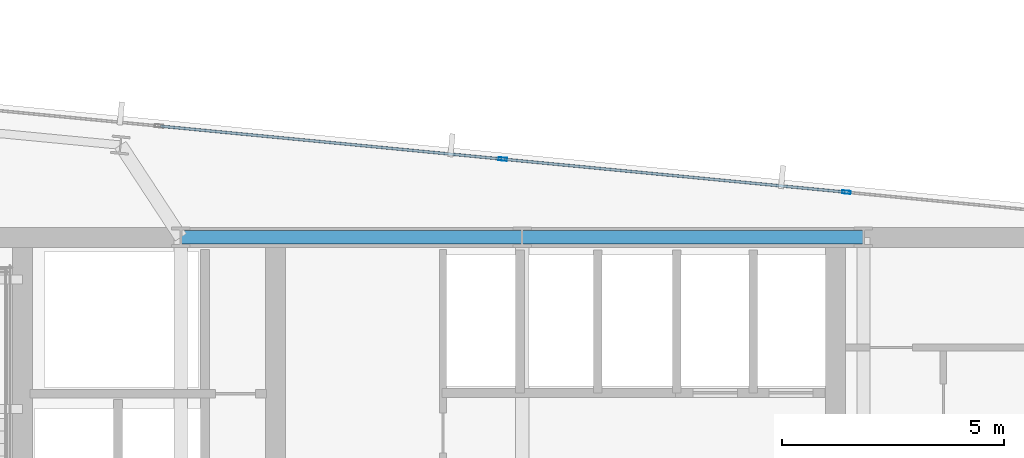
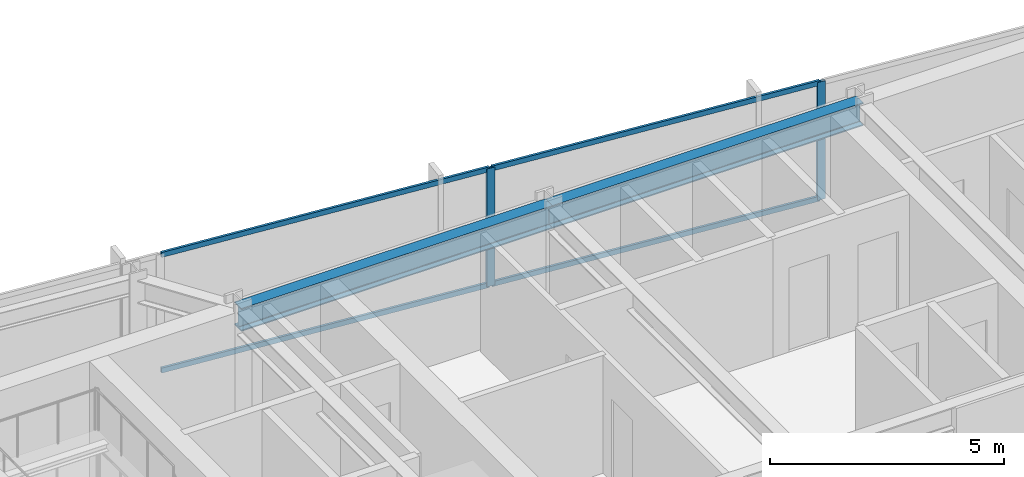
# One storey, part 26 of 38: 6 members, 2 beams, 1 element without a shape of its own.
"""IFC4 building model written with IfcOpenShell, lengths in metres."""

from ifc_helpers import new_model, si_unit, direction, frame, origin, origin_2d, place, context, subcontext, project, spatial, hollow_rectangle, i_section, extrude, material, material_profile, profile_set, type_object, element, aggregate, save


model = new_model("IFC4")

# Units and contexts
model_context = context("Model", 3, precision=1e-05, world=origin(), true_north=direction((0.0, 1.0)))
body_context = subcontext(model_context, "Body", "Model", "MODEL_VIEW")
ifc_project = project(units=[si_unit("LENGTHUNIT", "METRE"), si_unit("AREAUNIT", "SQUARE_METRE"), si_unit("VOLUMEUNIT", "CUBIC_METRE"), si_unit("PLANEANGLEUNIT", "RADIAN"), si_unit("MASSUNIT", "GRAM", prefix="KILO")], contexts=[model_context])

# Site, building, storey
site_placement = place(None, origin())
site = spatial("IfcSite", under=ifc_project, at=site_placement, CompositionType="ELEMENT")
building_placement = place(site_placement, origin())
building = spatial("IfcBuilding", under=site, at=building_placement, Name="Yelkora Congress Tower", CompositionType="ELEMENT")
storey_placement = place(building_placement, frame((0.0, 0.0, 185.300048828125)))
storey = spatial("IfcBuildingStorey", under=building, at=storey_placement, Name="L51", CompositionType="ELEMENT", Elevation=185.300048828125)

# Beams
ifc_material_1 = material(Name="Steel S355J2", Category="steel")
ifc_material_profile_1 = material_profile(ifc_material_1, i_section(OverallWidth=0.300048828125, OverallDepth=0.60009765625, WebThickness=0.015380859375, FlangeThickness=0.030029296875, FilletRadius=0.027099609375, at=origin_2d()), Name="HEB 600")
ifc_profile_set_1 = profile_set([ifc_material_profile_1], Name="Steel S355J2")
beam_type = type_object("IfcBeamType", Name="BM-GIRD-HEB600", PredefinedType="BEAM", material=ifc_profile_set_1)
beam_1_placement = place(storey_placement, frame((30.719970703125, 46.199951171875, 2.780029296875), z_axis=(1.0, 0.0, 0.0), x_axis=(0.0, 1.0, 0.0)))
element("IfcBeam", 1, at=beam_1_placement, inside=storey, type_object=beam_type, Name="L51 Core North Girder 3", PredefinedType="BEAM", context=body_context, shape_type="SweptSolid", body=[
    extrude(i_section(OverallWidth=0.300048828125, OverallDepth=0.60009765625, WebThickness=0.015380859375, FlangeThickness=0.030029296875, FilletRadius=0.027099609375, at=origin_2d()), origin(), (0.0, 0.0, 1.0), 7.679931640625),
])
beam_2_placement = place(storey_placement, frame((38.39990234375, 46.199951171875, 2.780029296875), z_axis=(1.0, 0.0, 0.0), x_axis=(0.0, 1.0, 0.0)))
element("IfcBeam", 2, at=beam_2_placement, inside=storey, type_object=beam_type, Name="L51 Core North Girder 4", PredefinedType="BEAM", context=body_context, shape_type="SweptSolid", body=[
    extrude(i_section(OverallWidth=0.300048828125, OverallDepth=0.60009765625, WebThickness=0.015380859375, FlangeThickness=0.030029296875, FilletRadius=0.027099609375, at=origin_2d()), origin(), (0.0, 0.0, 1.0), 7.68017578125),
])

# Curtain wall, members
ifc_material_2 = material(Name="Anodised aluminium and insulated glass", Category="aluminium")
curtain_wall_type = type_object("IfcCurtainWallType", Name="CW-SYS-B3", PredefinedType="NOTDEFINED", material=ifc_material_2)
curtain_wall_placement = place(storey_placement, origin())
curtain_wall = element("IfcCurtainWall", 3, at=curtain_wall_placement, inside=storey, type_object=curtain_wall_type, Name="L51 Unitised Curtain Wall 10 (1)", PredefinedType="NOTDEFINED")
ifc_material_3 = material(Name="Anodised aluminium 6063-T6", Category="aluminium")
ifc_material_profile_2 = material_profile(ifc_material_3, hollow_rectangle(XDim=0.070068359375, YDim=0.18994140625, WallThickness=0.00390625, at=origin_2d()), Name="ALU 70x190x4")
ifc_profile_set_2 = profile_set([ifc_material_profile_2], Name="Anodised aluminium 6063-T6")
member_type_1 = type_object("IfcMemberType", Name="MEM-ML-B3", PredefinedType="MULLION", material=ifc_profile_set_2)
member_1_placement = place(storey_placement, frame((37.9638671875, 47.958984375, 0.0), z_axis=(0.0, 0.0, 1.0), x_axis=(0.095844761168, 0.995396293823, 0.0)))
member_1 = element("IfcMember", 4, at=member_1_placement, type_object=member_type_1, Name="CW-B3 mullion 5", PredefinedType="MULLION", context=body_context, shape_type="SweptSolid", body=[
    extrude(hollow_rectangle(XDim=0.070068359375, YDim=0.18994140625, WallThickness=0.00390625, at=origin_2d()), origin(), (0.0, 0.0, 1.0), 3.079833984375),
])
member_2_placement = place(storey_placement, frame((45.697509765625, 47.21435546875, 0.0), z_axis=(0.0, 0.0, 1.0), x_axis=(0.095844761168, 0.995396293823, 0.0)))
member_2 = element("IfcMember", 5, at=member_2_placement, type_object=member_type_1, Name="CW-B3 mullion 6", PredefinedType="MULLION", context=body_context, shape_type="SweptSolid", body=[
    extrude(hollow_rectangle(XDim=0.070068359375, YDim=0.18994140625, WallThickness=0.00390625, at=origin_2d()), origin(), (0.0, 0.0, 1.0), 3.079833984375),
])
ifc_material_profile_3 = material_profile(ifc_material_3, hollow_rectangle(XDim=0.06005859375, YDim=0.1298828125, WallThickness=0.00390625, at=origin_2d()), Name="ALU 60x130x4")
ifc_profile_set_3 = profile_set([ifc_material_profile_3], Name="Anodised aluminium 6063-T6")
member_type_2 = type_object("IfcMemberType", Name="MEM-TR-B3", PredefinedType="USERDEFINED", material=ifc_profile_set_3)
member_3_placement = place(storey_placement, frame((30.26513671875, 48.7001953125, 0.030029296875), z_axis=(0.995398042106, -0.095826602633, 0.0), x_axis=(0.095826602633, 0.995398042106, 0.0)))
member_3 = element("IfcMember", 6, at=member_3_placement, type_object=member_type_2, Name="CW-B3 transom 4.1", ObjectType="TRANSOM", PredefinedType="USERDEFINED", context=body_context, shape_type="SweptSolid", body=[
    extrude(hollow_rectangle(XDim=0.06005859375, YDim=0.1298828125, WallThickness=0.00390625, at=origin_2d()), origin(), (0.0, 0.0, 1.0), 7.69921875),
])
member_4_placement = place(storey_placement, frame((30.26513671875, 48.7001953125, 3.050048828125), z_axis=(0.995398042106, -0.095826602633, 0.0), x_axis=(0.095826602633, 0.995398042106, 0.0)))
member_4 = element("IfcMember", 7, at=member_4_placement, type_object=member_type_2, Name="CW-B3 transom 4.2", ObjectType="TRANSOM", PredefinedType="USERDEFINED", context=body_context, shape_type="SweptSolid", body=[
    extrude(hollow_rectangle(XDim=0.06005859375, YDim=0.1298828125, WallThickness=0.00390625, at=origin_2d()), origin(), (0.0, 0.0, 1.0), 7.69921875),
])
member_5_placement = place(storey_placement, frame((37.998779296875, 47.95556640625, 0.030029296875), z_axis=(0.995398042106, -0.095826602633, 0.0), x_axis=(0.095826602633, 0.995398042106, 0.0)))
member_5 = element("IfcMember", 8, at=member_5_placement, type_object=member_type_2, Name="CW-B3 transom 5.1", ObjectType="TRANSOM", PredefinedType="USERDEFINED", context=body_context, shape_type="SweptSolid", body=[
    extrude(hollow_rectangle(XDim=0.06005859375, YDim=0.1298828125, WallThickness=0.00390625, at=origin_2d()), origin(), (0.0, 0.0, 1.0), 7.69921875),
])
member_6_placement = place(storey_placement, frame((37.998779296875, 47.95556640625, 3.050048828125), z_axis=(0.995398042106, -0.095826602633, 0.0), x_axis=(0.095826602633, 0.995398042106, 0.0)))
member_6 = element("IfcMember", 9, at=member_6_placement, type_object=member_type_2, Name="CW-B3 transom 5.2", ObjectType="TRANSOM", PredefinedType="USERDEFINED", context=body_context, shape_type="SweptSolid", body=[
    extrude(hollow_rectangle(XDim=0.06005859375, YDim=0.1298828125, WallThickness=0.00390625, at=origin_2d()), origin(), (0.0, 0.0, 1.0), 7.69921875),
])
aggregate(curtain_wall, [member_1, member_2, member_3, member_4, member_5, member_6])

save(model, "model.ifc")
